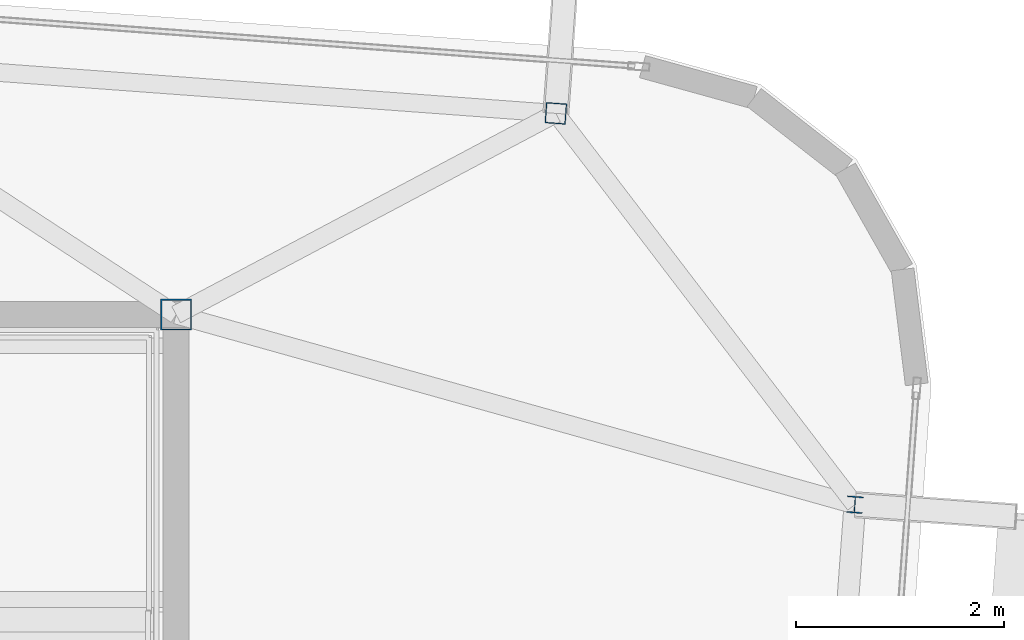
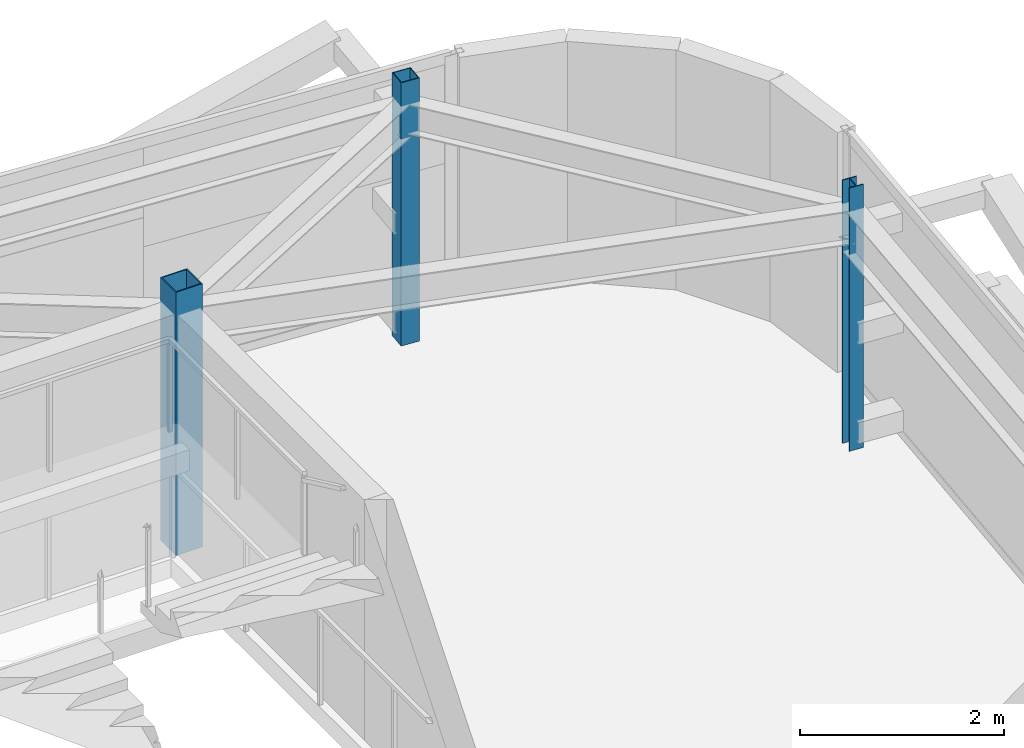
# One storey, part 6 of 40: 3 columns.
"""IFC4 building model written with IfcOpenShell, lengths in metres."""

from ifc_helpers import new_model, si_unit, direction, frame, origin, origin_2d, place, context, subcontext, project, spatial, hollow_rectangle, i_section, extrude, source, transform, mapped, material, material_profile, profile_set, type_object, element, save


model = new_model("IFC4")

# Units and contexts
model_context = context("Model", 3, precision=1e-05, world=origin(), true_north=direction((0.0, 1.0)))
body_context = subcontext(model_context, "Body", "Model", "MODEL_VIEW")
ifc_project = project(units=[si_unit("LENGTHUNIT", "METRE"), si_unit("AREAUNIT", "SQUARE_METRE"), si_unit("VOLUMEUNIT", "CUBIC_METRE"), si_unit("PLANEANGLEUNIT", "RADIAN"), si_unit("MASSUNIT", "GRAM", prefix="KILO")], contexts=[model_context])

# Site, building, storey
site_placement = place(None, origin())
site = spatial("IfcSite", under=ifc_project, at=site_placement, CompositionType="ELEMENT")
building_placement = place(site_placement, origin())
building = spatial("IfcBuilding", under=site, at=building_placement, Name="Taldren Reach Tower", CompositionType="ELEMENT")
storey_placement = place(building_placement, frame((0.0, 0.0, 233.449951171875)))
storey = spatial("IfcBuildingStorey", under=building, at=storey_placement, Name="L71", CompositionType="ELEMENT", Elevation=233.449951171875)

# Columns
ifc_material_1 = material(Name="Steel Gr 450 (C450L0)", Category="steel")
ifc_material_profile_1 = material_profile(ifc_material_1, hollow_rectangle(XDim=0.300048828125, YDim=0.300048828125, WallThickness=0.012451171875, at=origin_2d()), Name="300x300x12.5SHS")
ifc_profile_set_1 = profile_set([ifc_material_profile_1], Name="Steel Gr 450 (C450L0)")
column_type_1 = type_object("IfcColumnType", Name="COL-SHS300", PredefinedType="COLUMN", material=ifc_profile_set_1)
shared_shape_1 = source(origin(), body_context, "Body", "SweptSolid", [
    extrude(hollow_rectangle(XDim=0.300048828125, YDim=0.300048828125, WallThickness=0.012451171875, at=origin_2d()), origin(), (0.0, 0.0, 1.0), 3.150146484375),
])
column_1_placement = place(storey_placement, frame((51.0, 32.0, 0.0), z_axis=(0.0, 0.0, 1.0), x_axis=(1.0, 0.0, 0.0)))
element("IfcColumn", 1, at=column_1_placement, inside=storey, type_object=column_type_1, Name="Mega column MC-C8 L71", PredefinedType="COLUMN", context=body_context, shape_type="MappedRepresentation", body=[
    mapped(shared_shape_1, transform((0.0, 0.0, 0.0), scale=1.0)),
])
ifc_material_2 = material(Name="Steel Gr 350 (C350L0)", Category="steel")
ifc_material_profile_2 = material_profile(ifc_material_2, hollow_rectangle(XDim=0.199951171875, YDim=0.199951171875, WallThickness=0.009033203125, at=origin_2d()), Name="200x200x9.0SHS")
ifc_profile_set_2 = profile_set([ifc_material_profile_2], Name="Steel Gr 350 (C350L0)")
column_type_2 = type_object("IfcColumnType", Name="COL-SHS200", PredefinedType="COLUMN", material=ifc_profile_set_2)
shared_shape_2 = source(origin(), body_context, "Body", "SweptSolid", [
    extrude(hollow_rectangle(XDim=0.199951171875, YDim=0.199951171875, WallThickness=0.009033203125, at=origin_2d()), origin(), (0.0, 0.0, 1.0), 3.150146484375),
])
column_2_placement = place(storey_placement, frame((54.659423828125, 33.939697265625, 0.0), z_axis=(0.0, 0.0, 1.0), x_axis=(0.997314477224, -0.073238197128, 0.0)))
element("IfcColumn", 2, at=column_2_placement, inside=storey, type_object=column_type_2, Name="Block B5 perimeter column N6 L71", PredefinedType="COLUMN", context=body_context, shape_type="MappedRepresentation", body=[
    mapped(shared_shape_2, transform((0.0, 0.0, 0.0), scale=1.0)),
])
ifc_material_3 = material(Name="Steel Gr 350 (350PLUS)", Category="steel")
ifc_material_profile_3 = material_profile(ifc_material_3, i_section(OverallWidth=0.154052734375, OverallDepth=0.162109375, WebThickness=0.008056640625, FlangeThickness=0.011474609375, at=origin_2d()), Name="150UC37.2")
ifc_profile_set_3 = profile_set([ifc_material_profile_3], Name="Steel Gr 350 (350PLUS)")
column_type_3 = type_object("IfcColumnType", Name="COL-UC150", PredefinedType="COLUMN", material=ifc_profile_set_3)
shared_shape_3 = source(origin(), body_context, "Body", "SweptSolid", [
    extrude(i_section(OverallWidth=0.154052734375, OverallDepth=0.162109375, WebThickness=0.008056640625, FlangeThickness=0.011474609375, at=origin_2d()), origin(), (0.0, 0.0, 1.0), 3.150146484375),
])
column_3_placement = place(storey_placement, frame((57.540771484375, 30.168701171875, 0.0), z_axis=(0.0, 0.0, 1.0), x_axis=(0.997314477224, -0.073238197128, 0.0)))
element("IfcColumn", 3, at=column_3_placement, inside=storey, type_object=column_type_3, Name="Block B5 perimeter column E3 L71", PredefinedType="COLUMN", context=body_context, shape_type="MappedRepresentation", body=[
    mapped(shared_shape_3, transform((0.0, 0.0, 0.0), scale=1.0)),
])

save(model, "model.ifc")
